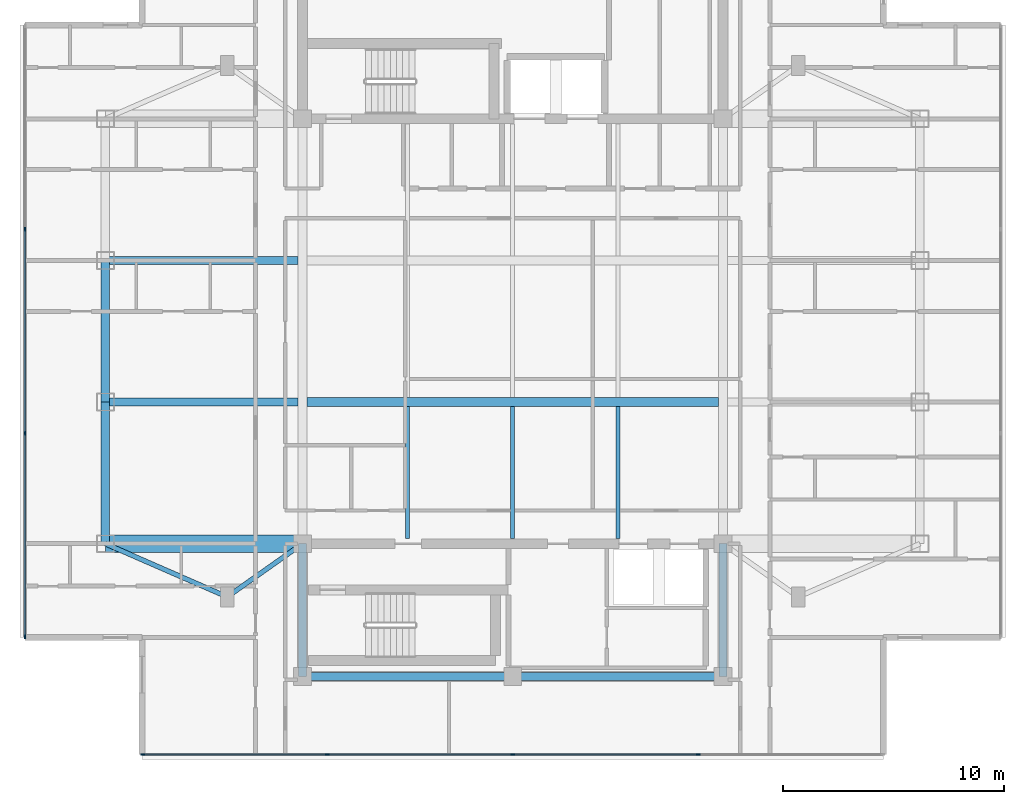
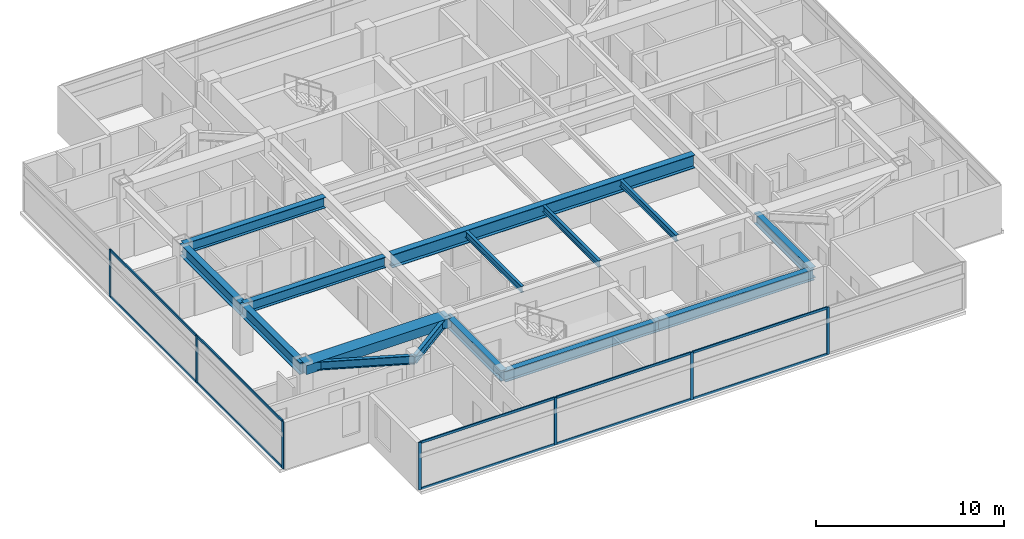
# One storey, part 2 of 14: 17 members, 15 beams, 2 elements without a shape of their own.
"""IFC4 building model written with IfcOpenShell, lengths in metres."""

from ifc_helpers import new_model, si_unit, direction, frame, origin, origin_2d, place, context, subcontext, project, spatial, rectangle, i_section, extrude, material, material_profile, profile_set, type_object, element, aggregate, save


model = new_model("IFC4")

# Units and contexts
model_context = context("Model", 3, precision=1e-05, world=origin(), true_north=direction((0.0, 1.0)))
body_context = subcontext(model_context, "Body", "Model", "MODEL_VIEW")
ifc_project = project(units=[si_unit("LENGTHUNIT", "METRE"), si_unit("AREAUNIT", "SQUARE_METRE"), si_unit("VOLUMEUNIT", "CUBIC_METRE"), si_unit("PLANEANGLEUNIT", "RADIAN"), si_unit("MASSUNIT", "GRAM", prefix="KILO")], contexts=[model_context])

# Site, building, storey
site_placement = place(None, origin())
site = spatial("IfcSite", under=ifc_project, at=site_placement, CompositionType="ELEMENT")
building_placement = place(site_placement, origin())
building = spatial("IfcBuilding", under=site, at=building_placement, Name="Mirazonda Arch Towers", CompositionType="ELEMENT")
storey_placement = place(building_placement, frame((0.0, 0.0, 242.5)))
storey = spatial("IfcBuildingStorey", under=building, at=storey_placement, Name="L69", CompositionType="ELEMENT", Elevation=242.5)

# Beams
ifc_material_1 = material(Name="Steel ASTM A992 Grade 50", Category="steel")
ifc_material_profile_1 = material_profile(ifc_material_1, i_section(OverallWidth=0.381103515625, OverallDepth=0.77294921875, WebThickness=0.0166015625, FlangeThickness=0.027099609375, at=origin_2d()), Name="W30X173")
ifc_profile_set_1 = profile_set([ifc_material_profile_1], Name="Steel ASTM A992 Grade 50")
beam_type_1 = type_object("IfcBeamType", Name="BM-EXT-W30X173", PredefinedType="USERDEFINED", material=ifc_profile_set_1)
beam_1_placement = place(storey_placement, frame((2.10009765625, 18.39990234375, 2.71337890625), z_axis=(0.0, 1.0, 0.0), x_axis=(-1.0, 0.0, 0.0)))
element("IfcBeam", 1, at=beam_1_placement, inside=storey, type_object=beam_type_1, Name="L69 Floor Beam BM-T1-L69-NS-W-18", ObjectType="GIRDER", PredefinedType="USERDEFINED", context=body_context, shape_type="SweptSolid", body=[
    extrude(i_section(OverallWidth=0.381103515625, OverallDepth=0.77294921875, WebThickness=0.0166015625, FlangeThickness=0.027099609375, at=origin_2d()), origin(), (0.0, 0.0, 1.0), 6.400146484375),
])
beam_2_placement = place(storey_placement, frame((2.10009765625, 24.800048828125, 2.71337890625), z_axis=(0.0, 1.0, 0.0), x_axis=(-1.0, 0.0, 0.0)))
element("IfcBeam", 2, at=beam_2_placement, inside=storey, type_object=beam_type_1, Name="L69 Floor Beam BM-T1-L69-NS-W-24", ObjectType="GIRDER", PredefinedType="USERDEFINED", context=body_context, shape_type="SweptSolid", body=[
    extrude(i_section(OverallWidth=0.381103515625, OverallDepth=0.77294921875, WebThickness=0.0166015625, FlangeThickness=0.027099609375, at=origin_2d()), origin(), (0.0, 0.0, 1.0), 6.39990234375),
])
ifc_material_profile_2 = material_profile(ifc_material_1, i_section(OverallWidth=0.180908203125, OverallDepth=0.4169921875, WebThickness=0.010986328125, FlangeThickness=0.018310546875, at=origin_2d()), Name="W16X57")
ifc_profile_set_2 = profile_set([ifc_material_profile_2], Name="Steel ASTM A992 Grade 50")
beam_type_2 = type_object("IfcBeamType", Name="BM-INT-W16X57", PredefinedType="JOIST", material=ifc_profile_set_2)
for number, where, z_axis, x_axis, name in (
    (3, (15.75, 18.639892578125, 2.8916015625), (0.0, 1.0, 0.0), (-1.0, 0.0, 0.0), "L69 Floor Beam BM-T1-L69-J-157-18"),
    (4, (20.5, 18.639892578125, 2.8916015625), (0.0, 1.0, 0.0), (-1.0, 0.0, 0.0), "L69 Floor Beam BM-T1-L69-J-205-18"),
    (5, (25.25, 18.639892578125, 2.8916015625), (0.0, 1.0, 0.0), (-1.0, 0.0, 0.0), "L69 Floor Beam BM-T1-L69-J-252-18"),
):
    element("IfcBeam", number, at=place(storey_placement, frame(where, z_axis=z_axis, x_axis=x_axis)), inside=storey, type_object=beam_type_2, Name=name, PredefinedType="JOIST", context=body_context, shape_type="SweptSolid", body=[
        extrude(i_section(OverallWidth=0.180908203125, OverallDepth=0.4169921875, WebThickness=0.010986328125, FlangeThickness=0.018310546875, at=origin_2d()), origin(), (0.0, 0.0, 1.0), 5.964111328125),
    ])
ifc_material_profile_3 = material_profile(ifc_material_1, i_section(OverallWidth=0.214111328125, OverallDepth=0.549072265625, WebThickness=0.0146484375, FlangeThickness=0.023681640625, at=origin_2d()), Name="W21X93")
ifc_profile_set_3 = profile_set([ifc_material_profile_3], Name="Steel ASTM A992 Grade 50")
beam_type_3 = type_object("IfcBeamType", Name="BM-INT-W21X93", PredefinedType="BEAM", material=ifc_profile_set_3)
beam_3_placement = place(storey_placement, frame((7.60009765625, 16.0, 2.825439453125), z_axis=(0.816971114901, 0.576678591087, 0.0), x_axis=(-0.576678591087, 0.816971114901, 0.0)))
element("IfcBeam", 6, at=beam_3_placement, inside=storey, type_object=beam_type_3, Name="L69 Floor Beam BM-T1-L69-PL-SW1", PredefinedType="BEAM", context=body_context, shape_type="SweptSolid", body=[
    extrude(i_section(OverallWidth=0.214111328125, OverallDepth=0.549072265625, WebThickness=0.0146484375, FlangeThickness=0.023681640625, at=origin_2d()), origin(), (0.0, 0.0, 1.0), 4.16162109375),
])
beam_4_placement = place(storey_placement, frame((7.60009765625, 16.0, 2.825439453125), z_axis=(-0.916545343703, 0.399930785183, 0.0), x_axis=(-0.399930785183, -0.916545343703, 0.0)))
element("IfcBeam", 7, at=beam_4_placement, inside=storey, type_object=beam_type_3, Name="L69 Floor Beam BM-T1-L69-PL-SW2", PredefinedType="BEAM", context=body_context, shape_type="SweptSolid", body=[
    extrude(i_section(OverallWidth=0.214111328125, OverallDepth=0.549072265625, WebThickness=0.0146484375, FlangeThickness=0.023681640625, at=origin_2d()), origin(), (0.0, 0.0, 1.0), 6.000732421875),
])
ifc_material_profile_4 = material_profile(ifc_material_1, i_section(OverallWidth=0.35498046875, OverallDepth=0.696044921875, WebThickness=0.015380859375, FlangeThickness=0.02490234375, at=origin_2d()), Name="W27X146")
ifc_profile_set_4 = profile_set([ifc_material_profile_4], Name="Steel ASTM A992 Grade 50")
beam_type_4 = type_object("IfcBeamType", Name="BM-INT-W27X146", PredefinedType="BEAM", material=ifc_profile_set_4)
for number, where, z_axis, x_axis, name in (
    (8, (2.10009765625, 24.800048828125, 2.751953125), (1.0, 0.0, 0.0), (0.0, 1.0, 0.0), "L69 Floor Beam BM-T1-L69-GW2"),
    (9, (2.10009765625, 31.199951171875, 2.751953125), (1.0, 0.0, 0.0), (0.0, 1.0, 0.0), "L69 Floor Beam BM-T1-L69-GW3"),
):
    element("IfcBeam", number, at=place(storey_placement, frame(where, z_axis=z_axis, x_axis=x_axis)), inside=storey, type_object=beam_type_4, Name=name, PredefinedType="BEAM", context=body_context, shape_type="SweptSolid", body=[
        extrude(i_section(OverallWidth=0.35498046875, OverallDepth=0.696044921875, WebThickness=0.015380859375, FlangeThickness=0.02490234375, at=origin_2d()), origin(), (0.0, 0.0, 1.0), 8.699951171875),
    ])
for number, where, z_axis, x_axis, name in (
    (10, (11.0, 12.39990234375, 2.751953125), (1.0, 0.0, 0.0), (0.0, 1.0, 0.0), "L69 Floor Beam BM-T1-L69-CS1"),
    (11, (20.5, 12.39990234375, 2.751953125), (1.0, 0.0, 0.0), (0.0, 1.0, 0.0), "L69 Floor Beam BM-T1-L69-CS2"),
):
    element("IfcBeam", number, at=place(storey_placement, frame(where, z_axis=z_axis, x_axis=x_axis)), inside=storey, type_object=beam_type_4, Name=name, PredefinedType="BEAM", context=body_context, shape_type="SweptSolid", body=[
        extrude(i_section(OverallWidth=0.35498046875, OverallDepth=0.696044921875, WebThickness=0.015380859375, FlangeThickness=0.02490234375, at=origin_2d()), origin(), (0.0, 0.0, 1.0), 9.5),
    ])
for number, where, z_axis, x_axis, name in (
    (12, (11.0, 12.39990234375, 2.751953125), (0.0, 1.0, 0.0), (-1.0, 0.0, 0.0), "L69 Floor Beam BM-T1-L69-CSW"),
    (13, (30.0, 12.39990234375, 2.751953125), (0.0, 1.0, 0.0), (-1.0, 0.0, 0.0), "L69 Floor Beam BM-T1-L69-CSE"),
):
    element("IfcBeam", number, at=place(storey_placement, frame(where, z_axis=z_axis, x_axis=x_axis)), inside=storey, type_object=beam_type_4, Name=name, PredefinedType="BEAM", context=body_context, shape_type="SweptSolid", body=[
        extrude(i_section(OverallWidth=0.35498046875, OverallDepth=0.696044921875, WebThickness=0.015380859375, FlangeThickness=0.02490234375, at=origin_2d()), origin(), (0.0, 0.0, 1.0), 6.0),
    ])
ifc_material_profile_5 = material_profile(ifc_material_1, i_section(OverallWidth=0.39990234375, OverallDepth=0.85595703125, WebThickness=0.018310546875, FlangeThickness=0.029296875, at=origin_2d()), Name="W33X201")
ifc_profile_set_5 = profile_set([ifc_material_profile_5], Name="Steel ASTM A992 Grade 50")
beam_type_5 = type_object("IfcBeamType", Name="BM-INT-W33X201", PredefinedType="USERDEFINED", material=ifc_profile_set_5)
beam_5_placement = place(storey_placement, frame((11.199951171875, 24.800048828125, 2.672119140625), z_axis=(1.0, 0.0, 0.0), x_axis=(0.0, 1.0, 0.0)))
element("IfcBeam", 14, at=beam_5_placement, inside=storey, type_object=beam_type_5, Name="L69 Floor Beam BM-T1-L69-GC2", ObjectType="GIRDER", PredefinedType="USERDEFINED", context=body_context, shape_type="SweptSolid", body=[
    extrude(i_section(OverallWidth=0.39990234375, OverallDepth=0.85595703125, WebThickness=0.018310546875, FlangeThickness=0.029296875, at=origin_2d()), origin(), (0.0, 0.0, 1.0), 18.60009765625),
])
ifc_material_2 = material(Name="Concrete C60/75", Category="concrete")
ifc_material_profile_6 = material_profile(ifc_material_2, rectangle(XDim=0.800048828125, YDim=0.60009765625, at=origin_2d()), Name="RCCB800x600")
ifc_profile_set_6 = profile_set([ifc_material_profile_6], Name="Concrete C60/75")
beam_type_6 = type_object("IfcBeamType", Name="CB-INT-RCCB800x600", PredefinedType="SPANDREL", material=ifc_profile_set_6)
beam_6_placement = place(storey_placement, frame((2.10009765625, 18.39990234375, 2.800048828125), z_axis=(1.0, 0.0, 0.0), x_axis=(0.0, 1.0, 0.0)))
element("IfcBeam", 15, at=beam_6_placement, inside=storey, type_object=beam_type_6, Name="L69 Floor Beam CBC-T1-L69-SW", PredefinedType="SPANDREL", context=body_context, shape_type="SweptSolid", body=[
    extrude(rectangle(XDim=0.800048828125, YDim=0.60009765625, at=origin_2d()), origin(), (0.0, 0.0, 1.0), 8.89990234375),
])

# Curtain wall, members
ifc_material_3 = material(Name="Anodised Aluminium and Low-E Glass", Category="aluminium")
curtain_wall_type = type_object("IfcCurtainWallType", Name="CW-RES-UNIT", PredefinedType="NOTDEFINED", material=ifc_material_3)
curtain_wall_1_placement = place(storey_placement, origin())
curtain_wall_1 = element("IfcCurtainWall", 16, at=curtain_wall_1_placement, inside=storey, type_object=curtain_wall_type, Name="L69 T1 S Facade CW-L69-T1-S", PredefinedType="NOTDEFINED")
ifc_material_4 = material(Name="Anodised Aluminium Alloy", Category="aluminium")
ifc_material_profile_7 = material_profile(ifc_material_4, rectangle(XDim=0.074951171875, YDim=0.175048828125, at=origin_2d()), Name="ALU-MULL-75x175")
ifc_profile_set_7 = profile_set([ifc_material_profile_7], Name="Anodised Aluminium Alloy")
member_type_1 = type_object("IfcMemberType", Name="MULL-CW-RES-UNIT", PredefinedType="MULLION", material=ifc_profile_set_7)
member_1_placement = place(storey_placement, frame((28.875, 8.8740234375, 0.0), z_axis=(0.0, 0.0, 1.0), x_axis=(0.0, -1.0, 0.0)))
member_1 = element("IfcMember", 17, at=member_1_placement, type_object=member_type_1, Name="CW-104 mullion 2", PredefinedType="MULLION", context=body_context, shape_type="SweptSolid", body=[
    extrude(rectangle(XDim=0.074951171875, YDim=0.175048828125, at=origin_2d()), origin(), (0.0, 0.0, 1.0), 3.080078125),
])
member_2_placement = place(storey_placement, frame((20.5, 8.8740234375, 0.0), z_axis=(0.0, 0.0, 1.0), x_axis=(0.0, -1.0, 0.0)))
member_2 = element("IfcMember", 18, at=member_2_placement, type_object=member_type_1, Name="CW-104 mullion 3", PredefinedType="MULLION", context=body_context, shape_type="SweptSolid", body=[
    extrude(rectangle(XDim=0.074951171875, YDim=0.175048828125, at=origin_2d()), origin(), (0.0, 0.0, 1.0), 3.080078125),
])
member_3_placement = place(storey_placement, frame((12.125, 8.8740234375, 0.0), z_axis=(0.0, 0.0, 1.0), x_axis=(0.0, -1.0, 0.0)))
member_3 = element("IfcMember", 19, at=member_3_placement, type_object=member_type_1, Name="CW-104 mullion 4", PredefinedType="MULLION", context=body_context, shape_type="SweptSolid", body=[
    extrude(rectangle(XDim=0.074951171875, YDim=0.175048828125, at=origin_2d()), origin(), (0.0, 0.0, 1.0), 3.080078125),
])
member_4_placement = place(storey_placement, frame((3.78759765625, 8.8740234375, 0.0), z_axis=(0.0, 0.0, 1.0), x_axis=(0.0, -1.0, 0.0)))
member_4 = element("IfcMember", 20, at=member_4_placement, type_object=member_type_1, Name="CW-104 mullion 5", PredefinedType="MULLION", context=body_context, shape_type="SweptSolid", body=[
    extrude(rectangle(XDim=0.074951171875, YDim=0.175048828125, at=origin_2d()), origin(), (0.0, 0.0, 1.0), 3.080078125),
])

curtain_wall_2_placement = place(storey_placement, origin())
curtain_wall_2 = element("IfcCurtainWall", 21, at=curtain_wall_2_placement, inside=storey, type_object=curtain_wall_type, Name="L69 T1 W Facade CW-L69-T1-W", PredefinedType="NOTDEFINED")
member_5_placement = place(storey_placement, frame((-1.5400390625, 32.612060546875, 0.0), z_axis=(0.0, 0.0, 1.0), x_axis=(1.0, 0.0, 0.0)))
member_5 = element("IfcMember", 22, at=member_5_placement, type_object=member_type_1, Name="CW-104 mullion 2", PredefinedType="MULLION", context=body_context, shape_type="SweptSolid", body=[
    extrude(rectangle(XDim=0.074951171875, YDim=0.175048828125, at=origin_2d()), origin(), (0.0, 0.0, 1.0), 3.080078125),
])
member_6_placement = place(storey_placement, frame((-1.5400390625, 23.387939453125, 0.0), z_axis=(0.0, 0.0, 1.0), x_axis=(1.0, 0.0, 0.0)))
member_6 = element("IfcMember", 23, at=member_6_placement, type_object=member_type_1, Name="CW-104 mullion 3", PredefinedType="MULLION", context=body_context, shape_type="SweptSolid", body=[
    extrude(rectangle(XDim=0.074951171875, YDim=0.175048828125, at=origin_2d()), origin(), (0.0, 0.0, 1.0), 3.080078125),
])
member_7_placement = place(storey_placement, frame((-1.5400390625, 14.201416015625, 0.0), z_axis=(0.0, 0.0, 1.0), x_axis=(1.0, 0.0, 0.0)))
member_7 = element("IfcMember", 24, at=member_7_placement, type_object=member_type_1, Name="CW-104 mullion 4", PredefinedType="MULLION", context=body_context, shape_type="SweptSolid", body=[
    extrude(rectangle(XDim=0.074951171875, YDim=0.175048828125, at=origin_2d()), origin(), (0.0, 0.0, 1.0), 3.080078125),
])

# Member
ifc_material_profile_8 = material_profile(ifc_material_4, rectangle(XDim=0.074951171875, YDim=0.155029296875, at=origin_2d()), Name="ALU-TRAN-75x155")
ifc_profile_set_8 = profile_set([ifc_material_profile_8], Name="Anodised Aluminium Alloy")
member_type_2 = type_object("IfcMemberType", Name="TRAN-CW-RES-UNIT", PredefinedType="USERDEFINED", material=ifc_profile_set_8)
member_8_placement = place(storey_placement, frame((28.83740234375, 8.8740234375, 0.03759765625), z_axis=(-1.0, 0.0, 0.0), x_axis=(0.0, -1.0, 0.0)))
member_8 = element("IfcMember", 25, at=member_8_placement, type_object=member_type_2, Name="CW-104 transom 2.1", ObjectType="TRANSOM", PredefinedType="USERDEFINED", context=body_context, shape_type="SweptSolid", body=[
    extrude(rectangle(XDim=0.074951171875, YDim=0.155029296875, at=origin_2d()), origin(), (0.0, 0.0, 1.0), 8.2998046875),
])

member_9_placement = place(storey_placement, frame((28.83740234375, 8.8740234375, 3.04248046875), z_axis=(-1.0, 0.0, 0.0), x_axis=(0.0, -1.0, 0.0)))
member_9 = element("IfcMember", 26, at=member_9_placement, type_object=member_type_2, Name="CW-104 transom 2.2", ObjectType="TRANSOM", PredefinedType="USERDEFINED", context=body_context, shape_type="SweptSolid", body=[
    extrude(rectangle(XDim=0.074951171875, YDim=0.155029296875, at=origin_2d()), origin(), (0.0, 0.0, 1.0), 8.2998046875),
])

member_10_placement = place(storey_placement, frame((20.46240234375, 8.8740234375, 0.03759765625), z_axis=(-1.0, 0.0, 0.0), x_axis=(0.0, -1.0, 0.0)))
member_10 = element("IfcMember", 27, at=member_10_placement, type_object=member_type_2, Name="CW-104 transom 3.1", ObjectType="TRANSOM", PredefinedType="USERDEFINED", context=body_context, shape_type="SweptSolid", body=[
    extrude(rectangle(XDim=0.074951171875, YDim=0.155029296875, at=origin_2d()), origin(), (0.0, 0.0, 1.0), 8.2998046875),
])

member_11_placement = place(storey_placement, frame((20.46240234375, 8.8740234375, 3.04248046875), z_axis=(-1.0, 0.0, 0.0), x_axis=(0.0, -1.0, 0.0)))
member_11 = element("IfcMember", 28, at=member_11_placement, type_object=member_type_2, Name="CW-104 transom 3.2", ObjectType="TRANSOM", PredefinedType="USERDEFINED", context=body_context, shape_type="SweptSolid", body=[
    extrude(rectangle(XDim=0.074951171875, YDim=0.155029296875, at=origin_2d()), origin(), (0.0, 0.0, 1.0), 8.2998046875),
])

member_12_placement = place(storey_placement, frame((12.08740234375, 8.8740234375, 0.03759765625), z_axis=(-1.0, 0.0, 0.0), x_axis=(0.0, -1.0, 0.0)))
member_12 = element("IfcMember", 29, at=member_12_placement, type_object=member_type_2, Name="CW-104 transom 4.1", ObjectType="TRANSOM", PredefinedType="USERDEFINED", context=body_context, shape_type="SweptSolid", body=[
    extrude(rectangle(XDim=0.074951171875, YDim=0.155029296875, at=origin_2d()), origin(), (0.0, 0.0, 1.0), 8.262451171875),
])

member_13_placement = place(storey_placement, frame((12.08740234375, 8.8740234375, 3.04248046875), z_axis=(-1.0, 0.0, 0.0), x_axis=(0.0, -1.0, 0.0)))
member_13 = element("IfcMember", 30, at=member_13_placement, type_object=member_type_2, Name="CW-104 transom 4.2", ObjectType="TRANSOM", PredefinedType="USERDEFINED", context=body_context, shape_type="SweptSolid", body=[
    extrude(rectangle(XDim=0.074951171875, YDim=0.155029296875, at=origin_2d()), origin(), (0.0, 0.0, 1.0), 8.262451171875),
])

aggregate(curtain_wall_1, [member_1, member_2, member_3, member_4, member_8, member_9, member_10, member_11, member_12, member_13])

member_14_placement = place(storey_placement, frame((-1.5400390625, 32.574462890625, 0.03759765625), z_axis=(0.0, -1.0, 0.0), x_axis=(1.0, 0.0, 0.0)))
member_14 = element("IfcMember", 31, at=member_14_placement, type_object=member_type_2, Name="CW-104 transom 2.1", ObjectType="TRANSOM", PredefinedType="USERDEFINED", context=body_context, shape_type="SweptSolid", body=[
    extrude(rectangle(XDim=0.074951171875, YDim=0.155029296875, at=origin_2d()), origin(), (0.0, 0.0, 1.0), 9.14892578125),
])

member_15_placement = place(storey_placement, frame((-1.5400390625, 32.574462890625, 3.04248046875), z_axis=(0.0, -1.0, 0.0), x_axis=(1.0, 0.0, 0.0)))
member_15 = element("IfcMember", 32, at=member_15_placement, type_object=member_type_2, Name="CW-104 transom 2.2", ObjectType="TRANSOM", PredefinedType="USERDEFINED", context=body_context, shape_type="SweptSolid", body=[
    extrude(rectangle(XDim=0.074951171875, YDim=0.155029296875, at=origin_2d()), origin(), (0.0, 0.0, 1.0), 9.14892578125),
])

member_16_placement = place(storey_placement, frame((-1.5400390625, 23.3505859375, 0.03759765625), z_axis=(0.0, -1.0, 0.0), x_axis=(1.0, 0.0, 0.0)))
member_16 = element("IfcMember", 33, at=member_16_placement, type_object=member_type_2, Name="CW-104 transom 3.1", ObjectType="TRANSOM", PredefinedType="USERDEFINED", context=body_context, shape_type="SweptSolid", body=[
    extrude(rectangle(XDim=0.074951171875, YDim=0.155029296875, at=origin_2d()), origin(), (0.0, 0.0, 1.0), 9.111572265625),
])

member_17_placement = place(storey_placement, frame((-1.5400390625, 23.3505859375, 3.04248046875), z_axis=(0.0, -1.0, 0.0), x_axis=(1.0, 0.0, 0.0)))
member_17 = element("IfcMember", 34, at=member_17_placement, type_object=member_type_2, Name="CW-104 transom 3.2", ObjectType="TRANSOM", PredefinedType="USERDEFINED", context=body_context, shape_type="SweptSolid", body=[
    extrude(rectangle(XDim=0.074951171875, YDim=0.155029296875, at=origin_2d()), origin(), (0.0, 0.0, 1.0), 9.111572265625),
])

aggregate(curtain_wall_2, [member_5, member_6, member_7, member_14, member_15, member_16, member_17])

save(model, "model.ifc")
